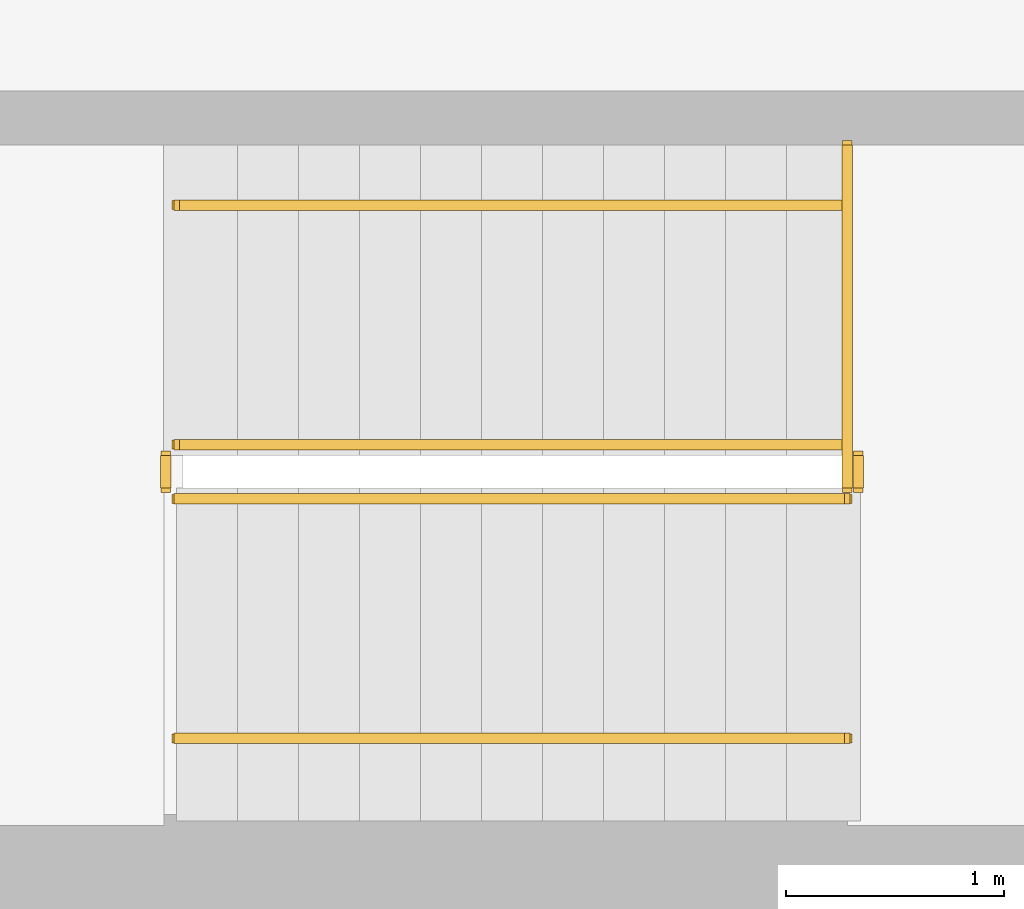
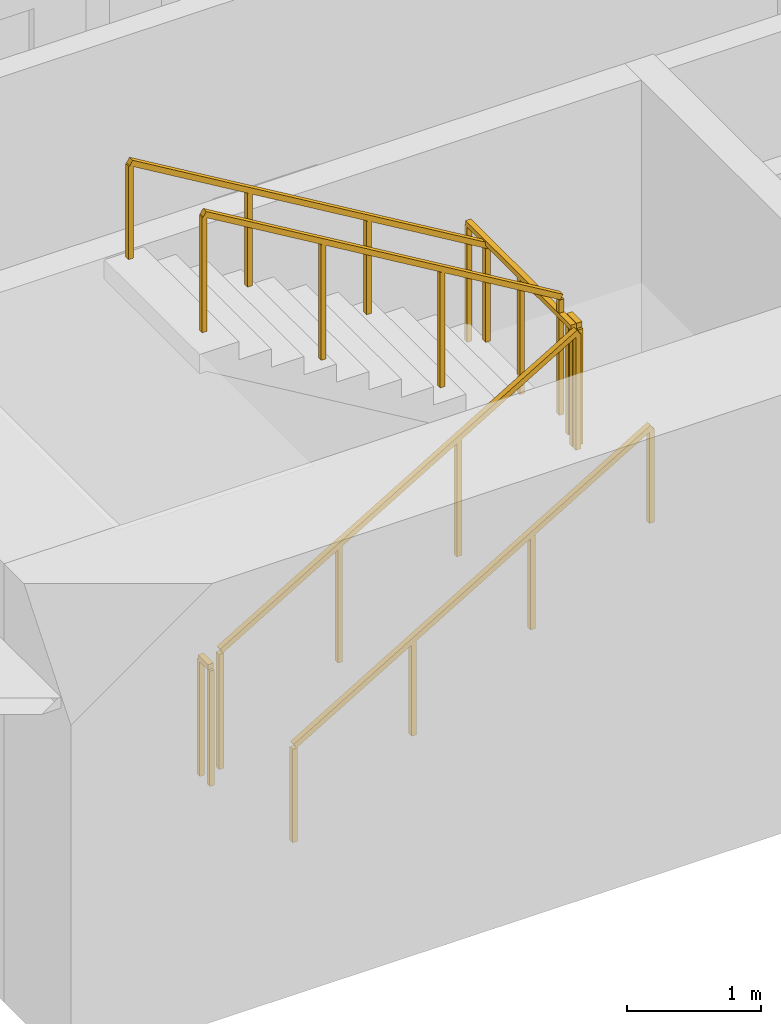
# One storey, part 13 of 16: 7 railings.
"""IFC4 building model written with IfcOpenShell, lengths in metres."""

from ifc_helpers import new_model, si_unit, direction, frame, origin, origin_2d, place, context, subcontext, project, spatial, rectangle, extrude, material, type_object, element, save


model = new_model("IFC4")

# Units and contexts
model_context = context("Model", 3, precision=1e-05, world=origin(), true_north=direction((0.0, 1.0)))
body_context = subcontext(model_context, "Body", "Model", "MODEL_VIEW")
ifc_project = project(units=[si_unit("LENGTHUNIT", "METRE"), si_unit("AREAUNIT", "SQUARE_METRE"), si_unit("VOLUMEUNIT", "CUBIC_METRE"), si_unit("PLANEANGLEUNIT", "RADIAN"), si_unit("MASSUNIT", "GRAM", prefix="KILO")], contexts=[model_context])

# Site, building, storey
site_placement = place(None, origin())
site = spatial("IfcSite", under=ifc_project, at=site_placement, CompositionType="ELEMENT")
building_placement = place(site_placement, origin())
building = spatial("IfcBuilding", under=site, at=building_placement, Name="Sennacour Bend Tower", CompositionType="ELEMENT")
storey_placement = place(building_placement, frame((0.0, 0.0, 179.0)))
storey = spatial("IfcBuildingStorey", under=building, at=storey_placement, Name="L41", CompositionType="ELEMENT", Elevation=179.0)

# Railings
ifc_material = material(Name="Stainless steel", Category="steel")
railing_type_1 = type_object("IfcRailingType", Name="RL-GUARD-1100", PredefinedType="GUARDRAIL", material=ifc_material)
railing_1_placement = place(storey_placement, frame((56.699951171875, 2.449951171875, 0.166748046875)))
element("IfcRailing", 1, at=railing_1_placement, inside=storey, type_object=railing_type_1, Name="L41 SA1 stair guard 1", PredefinedType="GUARDRAIL", context=body_context, shape_type="SweptSolid", body=[
    extrude(rectangle(XDim=0.048095703125, YDim=0.048095703125, at=origin_2d()), frame((0.0, 0.0, 1.076171875), z_axis=(0.859308565015, 0.0, 0.511457515432), x_axis=(0.0, 1.0, 0.0)), (0.0, 0.0, 1.0), 3.58447265625),
    extrude(rectangle(XDim=0.0419921875, YDim=0.0419921875, at=origin_2d()), origin(), (0.0, 0.0, 1.0), 1.052001953125),
    extrude(rectangle(XDim=0.0419921875, YDim=0.0419921875, at=origin_2d()), frame((1.026611328125, 0.0, 0.611083984375)), (0.0, 0.0, 1.0), 1.052001953125),
    extrude(rectangle(XDim=0.0419921875, YDim=0.0419921875, at=origin_2d()), frame((2.053466796875, 0.0, 1.22216796875)), (0.0, 0.0, 1.0), 1.052001953125),
    extrude(rectangle(XDim=0.0419921875, YDim=0.0419921875, at=origin_2d()), frame((3.080078125, 0.0, 1.833251953125)), (0.0, 0.0, 1.0), 1.052001953125),
])
railing_2_placement = place(storey_placement, frame((59.830078125, 2.5, 2.0)))
element("IfcRailing", 2, at=railing_2_placement, inside=storey, type_object=railing_type_1, Name="L41 SA1 stair guard 2", PredefinedType="GUARDRAIL", context=body_context, shape_type="SweptSolid", body=[
    extrude(rectangle(XDim=0.048095703125, YDim=0.048095703125, at=origin_2d()), frame((0.0, 0.0, 1.076171875), z_axis=(0.0, 1.0, 0.0), x_axis=(-1.0, 0.0, 0.0)), (0.0, 0.0, 1.0), 0.14990234375),
    extrude(rectangle(XDim=0.0419921875, YDim=0.0419921875, at=origin_2d()), origin(), (0.0, 0.0, 1.0), 1.052001953125),
    extrude(rectangle(XDim=0.0419921875, YDim=0.0419921875, at=origin_2d()), frame((0.0, 0.14990234375, 0.0)), (0.0, 0.0, 1.0), 1.052001953125),
])
railing_3_placement = place(storey_placement, frame((59.780029296875, 2.699951171875, 2.166748046875)))
element("IfcRailing", 3, at=railing_3_placement, inside=storey, type_object=railing_type_1, Name="L41 SA1 stair guard 4", PredefinedType="GUARDRAIL", context=body_context, shape_type="SweptSolid", body=[
    extrude(rectangle(XDim=0.048095703125, YDim=0.048095703125, at=origin_2d()), frame((0.0, 0.0, 1.076171875), z_axis=(-0.859308565015, 0.0, 0.511457515432), x_axis=(0.0, -1.0, 0.0)), (0.0, 0.0, 1.0), 3.58447265625),
    extrude(rectangle(XDim=0.0419921875, YDim=0.0419921875, at=origin_2d()), origin(), (0.0, 0.0, 1.0), 1.052001953125),
    extrude(rectangle(XDim=0.0419921875, YDim=0.0419921875, at=origin_2d()), frame((-1.026611328125, 0.0, 0.611083984375)), (0.0, 0.0, 1.0), 1.052001953125),
    extrude(rectangle(XDim=0.0419921875, YDim=0.0419921875, at=origin_2d()), frame((-2.053466796875, 0.0, 1.22216796875)), (0.0, 0.0, 1.0), 1.052001953125),
    extrude(rectangle(XDim=0.0419921875, YDim=0.0419921875, at=origin_2d()), frame((-3.080078125, 0.0, 1.833251953125)), (0.0, 0.0, 1.0), 1.052001953125),
])
railing_4_placement = place(storey_placement, frame((56.64990234375, 2.5, 0.0)))
element("IfcRailing", 4, at=railing_4_placement, inside=storey, type_object=railing_type_1, Name="L41 SA1 stair guard 5", PredefinedType="GUARDRAIL", context=body_context, shape_type="SweptSolid", body=[
    extrude(rectangle(XDim=0.048095703125, YDim=0.048095703125, at=origin_2d()), frame((0.0, 0.0, 1.076171875), z_axis=(0.0, 1.0, 0.0), x_axis=(-1.0, 0.0, 0.0)), (0.0, 0.0, 1.0), 0.14990234375),
    extrude(rectangle(XDim=0.0419921875, YDim=0.0419921875, at=origin_2d()), origin(), (0.0, 0.0, 1.0), 1.052001953125),
    extrude(rectangle(XDim=0.0419921875, YDim=0.0419921875, at=origin_2d()), frame((0.0, 0.14990234375, 0.0)), (0.0, 0.0, 1.0), 1.052001953125),
])
railing_5_placement = place(storey_placement, frame((59.780029296875, 2.5, 2.0)))
element("IfcRailing", 5, at=railing_5_placement, inside=storey, type_object=railing_type_1, Name="L41 SA1 landing edge guard 61", PredefinedType="GUARDRAIL", context=body_context, shape_type="SweptSolid", body=[
    extrude(rectangle(XDim=0.048095703125, YDim=0.048095703125, at=origin_2d()), frame((0.0, 0.0, 1.076171875), z_axis=(0.0, 1.0, 0.0), x_axis=(-1.0, 0.0, 0.0)), (0.0, 0.0, 1.0), 1.574951171875),
    extrude(rectangle(XDim=0.0419921875, YDim=0.0419921875, at=origin_2d()), origin(), (0.0, 0.0, 1.0), 1.052001953125),
    extrude(rectangle(XDim=0.0419921875, YDim=0.0419921875, at=origin_2d()), frame((0.0, 0.78759765625, 0.0)), (0.0, 0.0, 1.0), 1.052001953125),
    extrude(rectangle(XDim=0.0419921875, YDim=0.0419921875, at=origin_2d()), frame((0.0, 1.574951171875, 0.0)), (0.0, 0.0, 1.0), 1.052001953125),
])
railing_type_2 = type_object("IfcRailingType", Name="RL-HANDRAIL-900", PredefinedType="HANDRAIL", material=ifc_material)
railing_6_placement = place(storey_placement, frame((56.699951171875, 1.35009765625, 0.166748046875)))
element("IfcRailing", 6, at=railing_6_placement, inside=storey, type_object=railing_type_2, Name="L41 SA1 stair handrail 1", PredefinedType="HANDRAIL", context=body_context, shape_type="SweptSolid", body=[
    extrude(rectangle(XDim=0.048095703125, YDim=0.048095703125, at=origin_2d()), frame((0.0, 0.0, 0.8759765625), z_axis=(0.859308565015, 0.0, 0.511457515432), x_axis=(0.0, 1.0, 0.0)), (0.0, 0.0, 1.0), 3.58447265625),
    extrude(rectangle(XDim=0.0419921875, YDim=0.0419921875, at=origin_2d()), origin(), (0.0, 0.0, 1.0), 0.851806640625),
    extrude(rectangle(XDim=0.0419921875, YDim=0.0419921875, at=origin_2d()), frame((1.026611328125, 0.0, 0.611083984375)), (0.0, 0.0, 1.0), 0.851806640625),
    extrude(rectangle(XDim=0.0419921875, YDim=0.0419921875, at=origin_2d()), frame((2.053466796875, 0.0, 1.22216796875)), (0.0, 0.0, 1.0), 0.851806640625),
    extrude(rectangle(XDim=0.0419921875, YDim=0.0419921875, at=origin_2d()), frame((3.080078125, 0.0, 1.833251953125)), (0.0, 0.0, 1.0), 0.851806640625),
])
railing_7_placement = place(storey_placement, frame((59.780029296875, 3.800048828125, 2.166748046875)))
element("IfcRailing", 7, at=railing_7_placement, inside=storey, type_object=railing_type_2, Name="L41 SA1 stair handrail 2", PredefinedType="HANDRAIL", context=body_context, shape_type="SweptSolid", body=[
    extrude(rectangle(XDim=0.048095703125, YDim=0.048095703125, at=origin_2d()), frame((0.0, 0.0, 0.8759765625), z_axis=(-0.859308565015, 0.0, 0.511457515432), x_axis=(0.0, -1.0, 0.0)), (0.0, 0.0, 1.0), 3.58447265625),
    extrude(rectangle(XDim=0.0419921875, YDim=0.0419921875, at=origin_2d()), origin(), (0.0, 0.0, 1.0), 0.851806640625),
    extrude(rectangle(XDim=0.0419921875, YDim=0.0419921875, at=origin_2d()), frame((-1.026611328125, 0.0, 0.611083984375)), (0.0, 0.0, 1.0), 0.851806640625),
    extrude(rectangle(XDim=0.0419921875, YDim=0.0419921875, at=origin_2d()), frame((-2.053466796875, 0.0, 1.22216796875)), (0.0, 0.0, 1.0), 0.851806640625),
    extrude(rectangle(XDim=0.0419921875, YDim=0.0419921875, at=origin_2d()), frame((-3.080078125, 0.0, 1.833251953125)), (0.0, 0.0, 1.0), 0.851806640625),
])

save(model, "model.ifc")
